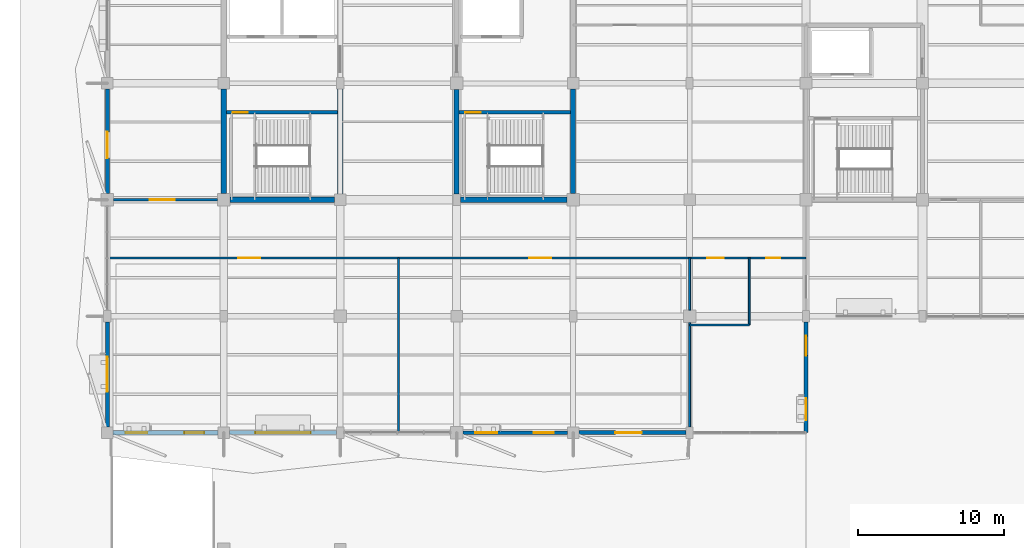
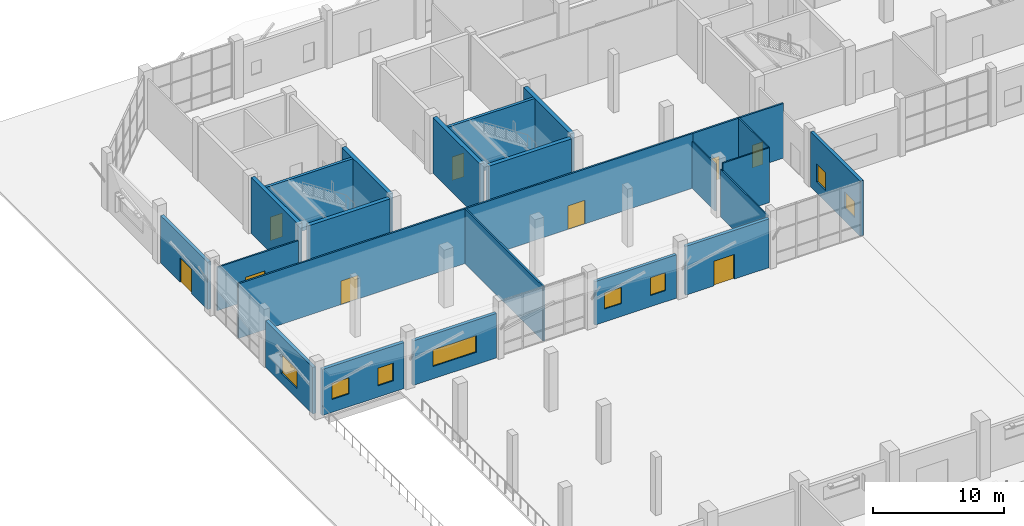
# One storey, part 99 of 123: 25 walls, 9 doors, 8 windows, 17 openings.
"""IFC4 building model written with IfcOpenShell, lengths in metres."""

from ifc_helpers import new_model, si_unit, direction, frame, frame_2d, origin, place, context, subcontext, project, spatial, rectangle, extrude, material, layer, layer_set, type_object, element, fill, save


model = new_model("IFC4")

# Units and contexts
model_context = context("Model", 3, precision=1e-05, world=origin(), true_north=direction((0.0, 1.0)))
body_context = subcontext(model_context, "Body", "Model", "MODEL_VIEW")
ifc_project = project(units=[si_unit("LENGTHUNIT", "METRE"), si_unit("AREAUNIT", "SQUARE_METRE"), si_unit("VOLUMEUNIT", "CUBIC_METRE"), si_unit("PLANEANGLEUNIT", "RADIAN"), si_unit("MASSUNIT", "GRAM", prefix="KILO")], contexts=[model_context])

# Site, building, storey
site_placement = place(None, origin())
site = spatial("IfcSite", under=ifc_project, at=site_placement, CompositionType="ELEMENT")
building_placement = place(site_placement, origin())
building = spatial("IfcBuilding", under=site, at=building_placement, Name="Tenunan Teduh Sports Hall", CompositionType="ELEMENT")
storey_placement = place(building_placement, origin())
storey = spatial("IfcBuildingStorey", under=building, at=storey_placement, Name="L00", CompositionType="ELEMENT", Elevation=0.0)

# Wall, opening, door
ifc_material_1 = material(Name="Concrete C40/50", Category="concrete")
ifc_layer_1 = layer(ifc_material_1, 0.25)
ifc_layer_set_1 = layer_set([ifc_layer_1], Name="Concrete C40/50")
wall_type_1 = type_object("IfcWallType", Name="WL-COR-250", PredefinedType="SOLIDWALL", material=ifc_layer_set_1)
wall_1_placement = place(storey_placement, frame((14.175048828125, 100.0, 0.0), z_axis=(0.0, 0.0, 1.0), x_axis=(1.0, 0.0, 0.0)))
wall_1 = element("IfcWall", 1, at=wall_1_placement, inside=storey, type_object=wall_type_1, Name="WL-COR-L00-016", PredefinedType="SOLIDWALL", context=body_context, shape_type="SweptSolid", body=[
    extrude(rectangle(XDim=7.64990234375, YDim=0.25, at=frame_2d((3.824951171875, 0.0))), origin(), (0.0, 0.0, 1.0), 5.179931640625),
])
opening_1_placement = place(wall_1_placement, frame((0.425048828125, 0.0, 0.0)))
opening_1 = element("IfcOpeningElement", 2, at=opening_1_placement, cuts=wall_1, Name="Opening FD-02", PredefinedType="OPENING", context=body_context, shape_type="SweptSolid", body=[
    extrude(rectangle(XDim=1.050048828125, YDim=2.199951171875, at=frame_2d((0.52490234375, 1.10009765625))), frame((0.0, 0.135009765625, 0.0), z_axis=(0.0, -1.0, 0.0), x_axis=(1.0, 0.0, 0.0)), (0.0, 0.0, 1.0), 0.27001953125),
])
ifc_material_2 = material(Name="Fire-rated steel leaf and frame", Category="steel")
door_type_1 = type_object("IfcDoorType", Name="FDR-02", OperationType="SINGLE_SWING_RIGHT", PredefinedType="DOOR", material=ifc_material_2)
door_1_placement = place(opening_1_placement, frame((1.050048828125, 0.0, 0.0), z_axis=(0.0, 0.0, 1.0), x_axis=(-1.0, 0.0, 0.0)))
door_1 = element("IfcDoor", 3, at=door_1_placement, inside=storey, type_object=door_type_1, Name="DR-INT-L00-006", OperationType="SINGLE_SWING_RIGHT", OverallHeight=2.199951171875, OverallWidth=1.050048828125, PredefinedType="DOOR", context=body_context, shape_type="SweptSolid", body=[
    extrude(rectangle(XDim=1.050048828125, YDim=2.199951171875, at=frame_2d((0.52490234375, 1.10009765625))), frame((0.0, 0.02490234375, 0.0), z_axis=(0.0, -1.0, 0.0), x_axis=(1.0, 0.0, 0.0)), (0.0, 0.0, 1.0), 0.050048828125),
])
fill(opening_1, door_1)

wall_2_placement = place(storey_placement, frame((30.175048828125, 100.0, 0.0), z_axis=(0.0, 0.0, 1.0), x_axis=(1.0, 0.0, 0.0)))
wall_2 = element("IfcWall", 4, at=wall_2_placement, inside=storey, type_object=wall_type_1, Name="WL-COR-L00-070", PredefinedType="SOLIDWALL", context=body_context, shape_type="SweptSolid", body=[
    extrude(rectangle(XDim=7.64990234375, YDim=0.25, at=frame_2d((3.824951171875, 0.0))), origin(), (0.0, 0.0, 1.0), 5.179931640625),
])
opening_2_placement = place(wall_2_placement, frame((0.425048828125, 0.0, 0.0)))
opening_2 = element("IfcOpeningElement", 5, at=opening_2_placement, cuts=wall_2, Name="Opening FD-02", PredefinedType="OPENING", context=body_context, shape_type="SweptSolid", body=[
    extrude(rectangle(XDim=1.050048828125, YDim=2.199951171875, at=frame_2d((0.52490234375, 1.10009765625))), frame((0.0, 0.135009765625, 0.0), z_axis=(0.0, -1.0, 0.0), x_axis=(1.0, 0.0, 0.0)), (0.0, 0.0, 1.0), 0.27001953125),
])
door_2_placement = place(opening_2_placement, frame((1.050048828125, 0.0, 0.0), z_axis=(0.0, 0.0, 1.0), x_axis=(-1.0, 0.0, 0.0)))
door_2 = element("IfcDoor", 6, at=door_2_placement, inside=storey, type_object=door_type_1, Name="DR-INT-L00-029", OperationType="SINGLE_SWING_LEFT", OverallHeight=2.199951171875, OverallWidth=1.050048828125, PredefinedType="DOOR", context=body_context, shape_type="SweptSolid", body=[
    extrude(rectangle(XDim=1.050048828125, YDim=2.199951171875, at=frame_2d((0.52490234375, 1.10009765625))), frame((0.0, 0.02490234375, 0.0), z_axis=(0.0, -1.0, 0.0), x_axis=(1.0, 0.0, 0.0)), (0.0, 0.0, 1.0), 0.050048828125),
])
fill(opening_2, door_2)

# Wall, openings, windows
ifc_material_3 = material(Name="Precast concrete C40/50", Category="concrete")
ifc_layer_2 = layer(ifc_material_3, 0.25)
ifc_layer_set_2 = layer_set([ifc_layer_2], Name="Precast concrete C40/50")
wall_type_2 = type_object("IfcWallType", Name="WL-EXT-250", PredefinedType="SOLIDWALL", material=ifc_layer_set_2)
wall_3_placement = place(storey_placement, frame((30.425048828125, 78.0, 0.0), z_axis=(0.0, 0.0, 1.0), x_axis=(1.0, 0.0, 0.0)))
wall_3 = element("IfcWall", 7, at=wall_3_placement, inside=storey, type_object=wall_type_2, Name="WL-EXT-L00-148", PredefinedType="SOLIDWALL", context=body_context, shape_type="SweptSolid", body=[
    extrude(rectangle(XDim=7.175048828125, YDim=0.25, at=frame_2d((3.58740234375, 0.0))), origin(), (0.0, 0.0, 1.0), 4.0400390625),
])
opening_3_placement = place(wall_3_placement, frame((0.85009765625, 0.0, 1.199951171875)))
opening_3 = element("IfcOpeningElement", 8, at=opening_3_placement, cuts=wall_3, Name="Opening W-09", PredefinedType="OPENING", context=body_context, shape_type="SweptSolid", body=[
    extrude(rectangle(XDim=1.5, YDim=1.5, at=frame_2d((0.75, 0.75))), frame((0.0, 0.135009765625, 0.0), z_axis=(0.0, -1.0, 0.0), x_axis=(1.0, 0.0, 0.0)), (0.0, 0.0, 1.0), 0.27001953125),
])
opening_4_placement = place(wall_3_placement, frame((4.8798828125, 0.0, 1.050048828125)))
opening_4 = element("IfcOpeningElement", 9, at=opening_4_placement, cuts=wall_3, Name="Opening W-18", PredefinedType="OPENING", context=body_context, shape_type="SweptSolid", body=[
    extrude(rectangle(XDim=1.35009765625, YDim=1.64990234375, at=frame_2d((0.675048828125, 0.824951171875))), frame((0.0, 0.135009765625, 0.0), z_axis=(0.0, -1.0, 0.0), x_axis=(1.0, 0.0, 0.0)), (0.0, 0.0, 1.0), 0.27001953125),
])
ifc_material_4 = material(Name="Thermally broken aluminium and Low-E glazing", Category="aluminium")
window_type_1 = type_object("IfcWindowType", Name="WIN-09", PartitioningType="DOUBLE_PANEL_VERTICAL", PredefinedType="WINDOW", material=ifc_material_4)
window_1_placement = place(opening_3_placement, origin())
window_1 = element("IfcWindow", 10, at=window_1_placement, inside=storey, type_object=window_type_1, Name="WIN-L00-028", OverallHeight=1.5, OverallWidth=1.5, PartitioningType="SINGLE_PANEL", PredefinedType="WINDOW", context=body_context, shape_type="SweptSolid", body=[
    extrude(rectangle(XDim=1.5, YDim=1.5, at=frame_2d((0.75, 0.75))), frame((0.0, 0.030029296875, 0.0), z_axis=(0.0, -1.0, 0.0), x_axis=(1.0, 0.0, 0.0)), (0.0, 0.0, 1.0), 0.06005859375),
])
fill(opening_3, window_1)
ifc_material_5 = material(Name="Thermally broken aluminium and Low-E glazing", Category="aluminium")
window_type_2 = type_object("IfcWindowType", Name="WIN-18", PartitioningType="DOUBLE_PANEL_VERTICAL", PredefinedType="WINDOW", material=ifc_material_5)
window_2_placement = place(opening_4_placement, origin())
window_2 = element("IfcWindow", 11, at=window_2_placement, inside=storey, type_object=window_type_2, Name="WIN-L00-029", OverallHeight=1.64990234375, OverallWidth=1.35009765625, PartitioningType="SINGLE_PANEL", PredefinedType="WINDOW", context=body_context, shape_type="SweptSolid", body=[
    extrude(rectangle(XDim=1.35009765625, YDim=1.64990234375, at=frame_2d((0.675048828125, 0.824951171875))), frame((0.0, 0.030029296875, 0.0), z_axis=(0.0, -1.0, 0.0), x_axis=(1.0, 0.0, 0.0)), (0.0, 0.0, 1.0), 0.06005859375),
])
fill(opening_4, window_2)

# Wall, opening, window
ifc_material_6 = material(Name="Concrete C40/50", Category="concrete")
ifc_layer_3 = layer(ifc_material_6, 0.280029296875)
ifc_layer_set_3 = layer_set([ifc_layer_3], Name="Concrete C40/50")
wall_type_3 = type_object("IfcWallType", Name="WL-EXT-280", PredefinedType="SOLIDWALL", material=ifc_layer_set_3)
wall_4_placement = place(storey_placement, frame((14.39990234375, 78.0, 0.0), z_axis=(0.0, 0.0, 1.0), x_axis=(1.0, 0.0, 0.0)))
wall_4 = element("IfcWall", 12, at=wall_4_placement, inside=storey, type_object=wall_type_3, Name="WL-EXT-L00-147", PredefinedType="SOLIDWALL", context=body_context, shape_type="SweptSolid", body=[
    extrude(rectangle(XDim=7.35009765625, YDim=0.280029296875, at=frame_2d((3.675048828125, 0.0))), origin(), (0.0, 0.0, 1.0), 4.139892578125),
])
opening_5_placement = place(wall_4_placement, frame((1.77001953125, 0.0, 1.14990234375)))
opening_5 = element("IfcOpeningElement", 13, at=opening_5_placement, cuts=wall_4, Name="Opening W-24", PredefinedType="OPENING", context=body_context, shape_type="SweptSolid", body=[
    extrude(rectangle(XDim=3.800048828125, YDim=1.550048828125, at=frame_2d((1.89990234375, 0.77490234375))), frame((0.0, 0.14990234375, 0.0), z_axis=(0.0, -1.0, 0.0), x_axis=(1.0, 0.0, 0.0)), (0.0, 0.0, 1.0), 0.300048828125),
])
ifc_material_7 = material(Name="Thermally broken aluminium and Low-E glazing", Category="aluminium")
window_type_3 = type_object("IfcWindowType", Name="WIN-24", PartitioningType="TRIPLE_PANEL_HORIZONTAL", PredefinedType="WINDOW", material=ifc_material_7)
window_3_placement = place(opening_5_placement, origin())
window_3 = element("IfcWindow", 14, at=window_3_placement, inside=storey, type_object=window_type_3, Name="WIN-L00-027", OverallHeight=1.550048828125, OverallWidth=3.800048828125, PartitioningType="SINGLE_PANEL", PredefinedType="WINDOW", context=body_context, shape_type="SweptSolid", body=[
    extrude(rectangle(XDim=3.800048828125, YDim=1.550048828125, at=frame_2d((1.89990234375, 0.77490234375))), frame((0.0, 0.030029296875, 0.0), z_axis=(0.0, -1.0, 0.0), x_axis=(1.0, 0.0, 0.0)), (0.0, 0.0, 1.0), 0.06005859375),
])
fill(opening_5, window_3)

# Wall, opening, door
wall_5_placement = place(storey_placement, frame((38.39990234375, 78.0, 0.0), z_axis=(0.0, 0.0, 1.0), x_axis=(1.0, 0.0, 0.0)))
wall_5 = element("IfcWall", 15, at=wall_5_placement, inside=storey, type_object=wall_type_3, Name="WL-EXT-L00-149", PredefinedType="SOLIDWALL", context=body_context, shape_type="SweptSolid", body=[
    extrude(rectangle(XDim=7.35009765625, YDim=0.280029296875, at=frame_2d((3.675048828125, 0.0))), origin(), (0.0, 0.0, 1.0), 4.5400390625),
])
opening_6_placement = place(wall_5_placement, frame((2.5, 0.0, 0.0)))
opening_6 = element("IfcOpeningElement", 16, at=opening_6_placement, cuts=wall_5, Name="Opening ED-02", PredefinedType="OPENING", context=body_context, shape_type="SweptSolid", body=[
    extrude(rectangle(XDim=1.800048828125, YDim=2.300048828125, at=frame_2d((0.89990234375, 1.14990234375))), frame((0.0, 0.14990234375, 0.0), z_axis=(0.0, -1.0, 0.0), x_axis=(1.0, 0.0, 0.0)), (0.0, 0.0, 1.0), 0.300048828125),
])
ifc_material_8 = material(Name="Powder-coated aluminium and laminated safety glass", Category="aluminium")
door_type_2 = type_object("IfcDoorType", Name="EDR-02", OperationType="DOUBLE_DOOR_SINGLE_SWING", PredefinedType="DOOR", material=ifc_material_8)
door_3_placement = place(opening_6_placement, origin())
door_3 = element("IfcDoor", 17, at=door_3_placement, inside=storey, type_object=door_type_2, Name="DR-EXT-L00-035", OperationType="DOUBLE_DOOR_SINGLE_SWING", OverallHeight=2.300048828125, OverallWidth=1.800048828125, PredefinedType="DOOR", context=body_context, shape_type="SweptSolid", body=[
    extrude(rectangle(XDim=1.800048828125, YDim=2.300048828125, at=frame_2d((0.89990234375, 1.14990234375))), frame((0.0, 0.02490234375, 0.0), z_axis=(0.0, -1.0, 0.0), x_axis=(1.0, 0.0, 0.0)), (0.0, 0.0, 1.0), 0.050048828125),
])
fill(opening_6, door_3)

# Wall, opening, window
wall_6_placement = place(storey_placement, frame((6.0, 78.39990234375, 0.0), z_axis=(0.0, 0.0, 1.0), x_axis=(0.0, 1.0, 0.0)))
wall_6 = element("IfcWall", 18, at=wall_6_placement, inside=storey, type_object=wall_type_3, Name="WL-EXT-L00-159", PredefinedType="SOLIDWALL", context=body_context, shape_type="SweptSolid", body=[
    extrude(rectangle(XDim=7.2001953125, YDim=0.280029296875, at=frame_2d((3.60009765625, 0.0))), origin(), (0.0, 0.0, 1.0), 4.340087890625),
])
opening_7_placement = place(wall_6_placement, frame((2.39990234375, 0.0, 0.89990234375)))
opening_7 = element("IfcOpeningElement", 19, at=opening_7_placement, cuts=wall_6, Name="Opening W-03", PredefinedType="OPENING", context=body_context, shape_type="SweptSolid", body=[
    extrude(rectangle(XDim=2.39990234375, YDim=1.800048828125, at=frame_2d((1.199951171875, 0.89990234375))), frame((0.0, 0.14990234375, 0.0), z_axis=(0.0, -1.0, 0.0), x_axis=(1.0, 0.0, 0.0)), (0.0, 0.0, 1.0), 0.300048828125),
])
ifc_material_9 = material(Name="Thermally broken aluminium and Low-E glazing", Category="aluminium")
window_type_4 = type_object("IfcWindowType", Name="WIN-03", PartitioningType="DOUBLE_PANEL_VERTICAL", PredefinedType="WINDOW", material=ifc_material_9)
window_4_placement = place(opening_7_placement, origin())
window_4 = element("IfcWindow", 20, at=window_4_placement, inside=storey, type_object=window_type_4, Name="WIN-L00-041", OverallHeight=1.800048828125, OverallWidth=2.39990234375, PartitioningType="SINGLE_PANEL", PredefinedType="WINDOW", context=body_context, shape_type="SweptSolid", body=[
    extrude(rectangle(XDim=2.39990234375, YDim=1.800048828125, at=frame_2d((1.199951171875, 0.89990234375))), frame((0.0, 0.030029296875, 0.0), z_axis=(0.0, -1.0, 0.0), x_axis=(1.0, 0.0, 0.0)), (0.0, 0.0, 1.0), 0.06005859375),
])
fill(opening_7, window_4)

# Wall, opening, door
wall_7_placement = place(storey_placement, frame((6.0, 94.425048828125, 0.0), z_axis=(0.0, 0.0, 1.0), x_axis=(0.0, 1.0, 0.0)))
wall_7 = element("IfcWall", 21, at=wall_7_placement, inside=storey, type_object=wall_type_3, Name="WL-EXT-L00-160", PredefinedType="SOLIDWALL", context=body_context, shape_type="SweptSolid", body=[
    extrude(rectangle(XDim=7.175048828125, YDim=0.280029296875, at=frame_2d((3.58740234375, 0.0))), origin(), (0.0, 0.0, 1.0), 4.419921875),
])
opening_8_placement = place(wall_7_placement, frame((2.43994140625, 0.0, 0.0)))
opening_8 = element("IfcOpeningElement", 22, at=opening_8_placement, cuts=wall_7, Name="Opening ED-02", PredefinedType="OPENING", context=body_context, shape_type="SweptSolid", body=[
    extrude(rectangle(XDim=1.800048828125, YDim=2.300048828125, at=frame_2d((0.89990234375, 1.14990234375))), frame((0.0, 0.14990234375, 0.0), z_axis=(0.0, -1.0, 0.0), x_axis=(1.0, 0.0, 0.0)), (0.0, 0.0, 1.0), 0.300048828125),
])
door_4_placement = place(opening_8_placement, origin())
door_4 = element("IfcDoor", 23, at=door_4_placement, inside=storey, type_object=door_type_2, Name="DR-EXT-L00-038", OperationType="DOUBLE_DOOR_SINGLE_SWING", OverallHeight=2.300048828125, OverallWidth=1.800048828125, PredefinedType="DOOR", context=body_context, shape_type="SweptSolid", body=[
    extrude(rectangle(XDim=1.800048828125, YDim=2.300048828125, at=frame_2d((0.89990234375, 1.14990234375))), frame((0.0, 0.02490234375, 0.0), z_axis=(0.0, -1.0, 0.0), x_axis=(1.0, 0.0, 0.0)), (0.0, 0.0, 1.0), 0.050048828125),
])
fill(opening_8, door_4)

# Wall, openings, windows
ifc_material_10 = material(Name="Concrete C40/50", Category="concrete")
ifc_layer_4 = layer(ifc_material_10, 0.2900390625)
ifc_layer_set_4 = layer_set([ifc_layer_4], Name="Concrete C40/50")
wall_type_4 = type_object("IfcWallType", Name="WL-EXT-290", PredefinedType="SOLIDWALL", material=ifc_layer_set_4)
wall_8_placement = place(storey_placement, frame((6.39990234375, 78.0, 0.0), z_axis=(0.0, 0.0, 1.0), x_axis=(1.0, 0.0, 0.0)))
wall_8 = element("IfcWall", 24, at=wall_8_placement, inside=storey, type_object=wall_type_4, Name="WL-EXT-L00-146", PredefinedType="SOLIDWALL", context=body_context, shape_type="SweptSolid", body=[
    extrude(rectangle(XDim=7.2001953125, YDim=0.2900390625, at=frame_2d((3.60009765625, 0.0))), origin(), (0.0, 0.0, 1.0), 4.2900390625),
])
opening_9_placement = place(wall_8_placement, frame((0.85009765625, 0.0, 1.199951171875)))
opening_9 = element("IfcOpeningElement", 25, at=opening_9_placement, cuts=wall_8, Name="Opening W-09", PredefinedType="OPENING", context=body_context, shape_type="SweptSolid", body=[
    extrude(rectangle(XDim=1.5, YDim=1.5, at=frame_2d((0.75, 0.75))), frame((0.0, 0.155029296875, 0.0), z_axis=(0.0, -1.0, 0.0), x_axis=(1.0, 0.0, 0.0)), (0.0, 0.0, 1.0), 0.31005859375),
])
opening_10_placement = place(wall_8_placement, frame((4.89990234375, 0.0, 1.050048828125)))
opening_10 = element("IfcOpeningElement", 26, at=opening_10_placement, cuts=wall_8, Name="Opening W-18", PredefinedType="OPENING", context=body_context, shape_type="SweptSolid", body=[
    extrude(rectangle(XDim=1.35009765625, YDim=1.64990234375, at=frame_2d((0.675048828125, 0.824951171875))), frame((0.0, 0.155029296875, 0.0), z_axis=(0.0, -1.0, 0.0), x_axis=(1.0, 0.0, 0.0)), (0.0, 0.0, 1.0), 0.31005859375),
])
window_5_placement = place(opening_9_placement, origin())
window_5 = element("IfcWindow", 27, at=window_5_placement, inside=storey, type_object=window_type_1, Name="WIN-L00-025", OverallHeight=1.5, OverallWidth=1.5, PartitioningType="SINGLE_PANEL", PredefinedType="WINDOW", context=body_context, shape_type="SweptSolid", body=[
    extrude(rectangle(XDim=1.5, YDim=1.5, at=frame_2d((0.75, 0.75))), frame((0.0, 0.030029296875, 0.0), z_axis=(0.0, -1.0, 0.0), x_axis=(1.0, 0.0, 0.0)), (0.0, 0.0, 1.0), 0.06005859375),
])
fill(opening_9, window_5)
window_6_placement = place(opening_10_placement, origin())
window_6 = element("IfcWindow", 28, at=window_6_placement, inside=storey, type_object=window_type_2, Name="WIN-L00-026", OverallHeight=1.64990234375, OverallWidth=1.35009765625, PartitioningType="SINGLE_PANEL", PredefinedType="WINDOW", context=body_context, shape_type="SweptSolid", body=[
    extrude(rectangle(XDim=1.35009765625, YDim=1.64990234375, at=frame_2d((0.675048828125, 0.824951171875))), frame((0.0, 0.030029296875, 0.0), z_axis=(0.0, -1.0, 0.0), x_axis=(1.0, 0.0, 0.0)), (0.0, 0.0, 1.0), 0.06005859375),
])
fill(opening_10, window_6)

wall_9_placement = place(storey_placement, frame((54.0, 78.0, 0.0), z_axis=(0.0, 0.0, 1.0), x_axis=(0.0, 1.0, 0.0)))
wall_9 = element("IfcWall", 29, at=wall_9_placement, inside=storey, type_object=wall_type_4, Name="WL-EXT-L00-150", PredefinedType="SOLIDWALL", context=body_context, shape_type="SweptSolid", body=[
    extrude(rectangle(XDim=7.60009765625, YDim=0.2900390625, at=frame_2d((3.800048828125, 0.0))), origin(), (0.0, 0.0, 1.0), 5.1201171875),
])
opening_11_placement = place(wall_9_placement, frame((0.85009765625, 0.0, 1.199951171875)))
opening_11 = element("IfcOpeningElement", 30, at=opening_11_placement, cuts=wall_9, Name="Opening W-09", PredefinedType="OPENING", context=body_context, shape_type="SweptSolid", body=[
    extrude(rectangle(XDim=1.5, YDim=1.5, at=frame_2d((0.75, 0.75))), frame((0.0, 0.155029296875, 0.0), z_axis=(0.0, -1.0, 0.0), x_axis=(1.0, 0.0, 0.0)), (0.0, 0.0, 1.0), 0.31005859375),
])
opening_12_placement = place(wall_9_placement, frame((5.300048828125, 0.0, 1.050048828125)))
opening_12 = element("IfcOpeningElement", 31, at=opening_12_placement, cuts=wall_9, Name="Opening W-18", PredefinedType="OPENING", context=body_context, shape_type="SweptSolid", body=[
    extrude(rectangle(XDim=1.35009765625, YDim=1.64990234375, at=frame_2d((0.675048828125, 0.824951171875))), frame((0.0, 0.155029296875, 0.0), z_axis=(0.0, -1.0, 0.0), x_axis=(1.0, 0.0, 0.0)), (0.0, 0.0, 1.0), 0.31005859375),
])
window_7_placement = place(opening_11_placement, origin())
window_7 = element("IfcWindow", 32, at=window_7_placement, inside=storey, type_object=window_type_1, Name="WIN-L00-030", OverallHeight=1.5, OverallWidth=1.5, PartitioningType="SINGLE_PANEL", PredefinedType="WINDOW", context=body_context, shape_type="SweptSolid", body=[
    extrude(rectangle(XDim=1.5, YDim=1.5, at=frame_2d((0.75, 0.75))), frame((0.0, 0.030029296875, 0.0), z_axis=(0.0, -1.0, 0.0), x_axis=(1.0, 0.0, 0.0)), (0.0, 0.0, 1.0), 0.06005859375),
])
fill(opening_11, window_7)
window_8_placement = place(opening_12_placement, origin())
window_8 = element("IfcWindow", 33, at=window_8_placement, inside=storey, type_object=window_type_2, Name="WIN-L00-031", OverallHeight=1.64990234375, OverallWidth=1.35009765625, PartitioningType="SINGLE_PANEL", PredefinedType="WINDOW", context=body_context, shape_type="SweptSolid", body=[
    extrude(rectangle(XDim=1.35009765625, YDim=1.64990234375, at=frame_2d((0.675048828125, 0.824951171875))), frame((0.0, 0.030029296875, 0.0), z_axis=(0.0, -1.0, 0.0), x_axis=(1.0, 0.0, 0.0)), (0.0, 0.0, 1.0), 0.06005859375),
])
fill(opening_12, window_8)

# Walls
ifc_material_11 = material(Name="Moisture-resistant masonry", Category="masonry")
ifc_layer_5 = layer(ifc_material_11, 0.125)
ifc_layer_set_5 = layer_set([ifc_layer_5], Name="Moisture-resistant masonry")
wall_type_5 = type_object("IfcWallType", Name="WL-PRT-125", PredefinedType="PARTITIONING", material=ifc_layer_set_5)
wall_10_placement = place(storey_placement, frame((46.0, 78.39990234375, 0.0), z_axis=(0.0, 0.0, 1.0), x_axis=(0.0, 1.0, 0.0)))
element("IfcWall", 34, at=wall_10_placement, inside=storey, type_object=wall_type_5, Name="WL-PRT-L00-307", PredefinedType="PARTITIONING", context=body_context, shape_type="SweptSolid", body=[
    extrude(rectangle(XDim=7.175048828125, YDim=0.125, at=frame_2d((3.58740234375, 0.0))), origin(), (0.0, 0.0, 1.0), 4.419921875),
])
wall_11_placement = place(storey_placement, frame((46.0, 86.425048828125, 0.0), z_axis=(0.0, 0.0, 1.0), x_axis=(0.0, 1.0, 0.0)))
element("IfcWall", 35, at=wall_11_placement, inside=storey, type_object=wall_type_5, Name="WL-PRT-L00-308", PredefinedType="PARTITIONING", context=body_context, shape_type="SweptSolid", body=[
    extrude(rectangle(XDim=3.574951171875, YDim=0.125, at=frame_2d((1.78759765625, 0.0))), origin(), (0.0, 0.0, 1.0), 4.360107421875),
])
wall_12_placement = place(storey_placement, frame((46.0, 85.39990234375, 0.0), z_axis=(0.0, 0.0, 1.0), x_axis=(1.0, 0.0, 0.0)))
element("IfcWall", 36, at=wall_12_placement, inside=storey, type_object=wall_type_5, Name="WL-PRT-L00-309", PredefinedType="PARTITIONING", context=body_context, shape_type="SweptSolid", body=[
    extrude(rectangle(XDim=4.10009765625, YDim=0.125, at=frame_2d((2.050048828125, 0.0))), origin(), (0.0, 0.0, 1.0), 5.10009765625),
])
wall_13_placement = place(storey_placement, frame((50.10009765625, 85.39990234375, 0.0), z_axis=(0.0, 0.0, 1.0), x_axis=(0.0, 1.0, 0.0)))
element("IfcWall", 37, at=wall_13_placement, inside=storey, type_object=wall_type_5, Name="WL-PRT-L00-310", PredefinedType="PARTITIONING", context=body_context, shape_type="SweptSolid", body=[
    extrude(rectangle(XDim=4.60009765625, YDim=0.125, at=frame_2d((2.300048828125, 0.0))), origin(), (0.0, 0.0, 1.0), 5.10009765625),
])

# Wall, opening, door
ifc_material_12 = material(Name="Acoustic stud and fireboard")
ifc_layer_6 = layer(ifc_material_12, 0.139892578125)
ifc_layer_set_6 = layer_set([ifc_layer_6], Name="Acoustic stud and fireboard")
wall_type_6 = type_object("IfcWallType", Name="WL-PRT-140", PredefinedType="PARTITIONING", material=ifc_layer_set_6)
wall_14_placement = place(storey_placement, frame((6.425048828125, 94.0, 0.0), z_axis=(0.0, 0.0, 1.0), x_axis=(1.0, 0.0, 0.0)))
wall_14 = element("IfcWall", 38, at=wall_14_placement, inside=storey, type_object=wall_type_6, Name="WL-PRT-L00-311", PredefinedType="PARTITIONING", context=body_context, shape_type="SweptSolid", body=[
    extrude(rectangle(XDim=7.14990234375, YDim=0.139892578125, at=frame_2d((3.574951171875, 0.0))), origin(), (0.0, 0.0, 1.0), 4.0400390625),
])
opening_13_placement = place(wall_14_placement, frame((2.5, 0.0, 0.0)))
opening_13 = element("IfcOpeningElement", 39, at=opening_13_placement, cuts=wall_14, Name="Opening ID-05", PredefinedType="OPENING", context=body_context, shape_type="SweptSolid", body=[
    extrude(rectangle(XDim=1.699951171875, YDim=2.25, at=frame_2d((0.85009765625, 1.125))), frame((0.0, 0.079833984375, 0.0), z_axis=(0.0, -1.0, 0.0), x_axis=(1.0, 0.0, 0.0)), (0.0, 0.0, 1.0), 0.159912109375),
])
ifc_material_13 = material(Name="Glazed concourse pair")
door_type_3 = type_object("IfcDoorType", Name="IDR-05", OperationType="DOUBLE_DOOR_SINGLE_SWING", PredefinedType="DOOR", material=ifc_material_13)
door_5_placement = place(opening_13_placement, frame((1.699951171875, 0.0, 0.0), z_axis=(0.0, 0.0, 1.0), x_axis=(-1.0, 0.0, 0.0)))
door_5 = element("IfcDoor", 40, at=door_5_placement, inside=storey, type_object=door_type_3, Name="DR-INT-L00-119", OperationType="DOUBLE_DOOR_SINGLE_SWING", OverallHeight=2.25, OverallWidth=1.699951171875, PredefinedType="DOOR", context=body_context, shape_type="SweptSolid", body=[
    extrude(rectangle(XDim=1.699951171875, YDim=2.25, at=frame_2d((0.85009765625, 1.125))), frame((0.0, 0.02490234375, 0.0), z_axis=(0.0, -1.0, 0.0), x_axis=(1.0, 0.0, 0.0)), (0.0, 0.0, 1.0), 0.050048828125),
])
fill(opening_13, door_5)

ifc_material_14 = material(Name="Acoustic stud and double plasterboard")
ifc_layer_7 = layer(ifc_material_14, 0.14990234375)
ifc_layer_set_7 = layer_set([ifc_layer_7], Name="Acoustic stud and double plasterboard")
wall_type_7 = type_object("IfcWallType", Name="WL-PRT-150", PredefinedType="PARTITIONING", material=ifc_layer_set_7)
wall_15_placement = place(storey_placement, frame((6.0, 90.0, 0.0), z_axis=(0.0, 0.0, 1.0), x_axis=(1.0, 0.0, 0.0)))
wall_15 = element("IfcWall", 41, at=wall_15_placement, inside=storey, type_object=wall_type_7, Name="WL-PRT-L00-302", PredefinedType="PARTITIONING", context=body_context, shape_type="SweptSolid", body=[
    extrude(rectangle(XDim=20.0, YDim=0.14990234375, at=frame_2d((10.0, 0.0))), origin(), (0.0, 0.0, 1.0), 5.10009765625),
])
opening_14_placement = place(wall_15_placement, frame((9.0, 0.0, 0.0)))
opening_14 = element("IfcOpeningElement", 42, at=opening_14_placement, cuts=wall_15, Name="Opening ID-04", PredefinedType="OPENING", context=body_context, shape_type="SweptSolid", body=[
    extrude(rectangle(XDim=1.5, YDim=2.199951171875, at=frame_2d((0.75, 1.10009765625))), frame((0.0, 0.0849609375, 0.0), z_axis=(0.0, -1.0, 0.0), x_axis=(1.0, 0.0, 0.0)), (0.0, 0.0, 1.0), 0.169921875),
])
ifc_material_15 = material(Name="Acoustic studio timber pair", Category="wood")
door_type_4 = type_object("IfcDoorType", Name="IDR-04", OperationType="DOUBLE_DOOR_SINGLE_SWING", PredefinedType="DOOR", material=ifc_material_15)
door_6_placement = place(opening_14_placement, frame((1.5, 0.0, 0.0), z_axis=(0.0, 0.0, 1.0), x_axis=(-1.0, 0.0, 0.0)))
door_6 = element("IfcDoor", 43, at=door_6_placement, inside=storey, type_object=door_type_4, Name="DR-INT-L00-115", OperationType="DOUBLE_DOOR_SINGLE_SWING", OverallHeight=2.199951171875, OverallWidth=1.5, PredefinedType="DOOR", context=body_context, shape_type="SweptSolid", body=[
    extrude(rectangle(XDim=1.5, YDim=2.199951171875, at=frame_2d((0.75, 1.10009765625))), frame((0.0, 0.02490234375, 0.0), z_axis=(0.0, -1.0, 0.0), x_axis=(1.0, 0.0, 0.0)), (0.0, 0.0, 1.0), 0.050048828125),
])
fill(opening_14, door_6)

wall_16_placement = place(storey_placement, frame((26.0, 90.0, 0.0), z_axis=(0.0, 0.0, 1.0), x_axis=(1.0, 0.0, 0.0)))
wall_16 = element("IfcWall", 44, at=wall_16_placement, inside=storey, type_object=wall_type_7, Name="WL-PRT-L00-303", PredefinedType="PARTITIONING", context=body_context, shape_type="SweptSolid", body=[
    extrude(rectangle(XDim=20.0, YDim=0.14990234375, at=frame_2d((10.0, 0.0))), origin(), (0.0, 0.0, 1.0), 5.10009765625),
])
opening_15_placement = place(wall_16_placement, frame((9.0, 0.0, 0.0)))
opening_15 = element("IfcOpeningElement", 45, at=opening_15_placement, cuts=wall_16, Name="Opening ID-04", PredefinedType="OPENING", context=body_context, shape_type="SweptSolid", body=[
    extrude(rectangle(XDim=1.5, YDim=2.199951171875, at=frame_2d((0.75, 1.10009765625))), frame((0.0, 0.0849609375, 0.0), z_axis=(0.0, -1.0, 0.0), x_axis=(1.0, 0.0, 0.0)), (0.0, 0.0, 1.0), 0.169921875),
])
door_7_placement = place(opening_15_placement, frame((1.5, 0.0, 0.0), z_axis=(0.0, 0.0, 1.0), x_axis=(-1.0, 0.0, 0.0)))
door_7 = element("IfcDoor", 46, at=door_7_placement, inside=storey, type_object=door_type_4, Name="DR-INT-L00-116", OperationType="DOUBLE_DOOR_SINGLE_SWING", OverallHeight=2.199951171875, OverallWidth=1.5, PredefinedType="DOOR", context=body_context, shape_type="SweptSolid", body=[
    extrude(rectangle(XDim=1.5, YDim=2.199951171875, at=frame_2d((0.75, 1.10009765625))), frame((0.0, 0.02490234375, 0.0), z_axis=(0.0, -1.0, 0.0), x_axis=(1.0, 0.0, 0.0)), (0.0, 0.0, 1.0), 0.050048828125),
])
fill(opening_15, door_7)

wall_17_placement = place(storey_placement, frame((46.0, 90.0, 0.0), z_axis=(0.0, 0.0, 1.0), x_axis=(1.0, 0.0, 0.0)))
wall_17 = element("IfcWall", 47, at=wall_17_placement, inside=storey, type_object=wall_type_7, Name="WL-PRT-L00-304", PredefinedType="PARTITIONING", context=body_context, shape_type="SweptSolid", body=[
    extrude(rectangle(XDim=4.10009765625, YDim=0.14990234375, at=frame_2d((2.050048828125, 0.0))), origin(), (0.0, 0.0, 1.0), 5.10009765625),
])
opening_16_placement = place(wall_17_placement, frame((1.22998046875, 0.0, 0.0)))
opening_16 = element("IfcOpeningElement", 48, at=opening_16_placement, cuts=wall_17, Name="Opening ID-06", PredefinedType="OPENING", context=body_context, shape_type="SweptSolid", body=[
    extrude(rectangle(XDim=1.10009765625, YDim=2.14990234375, at=frame_2d((0.550048828125, 1.074951171875))), frame((0.0, 0.0849609375, 0.0), z_axis=(0.0, -1.0, 0.0), x_axis=(1.0, 0.0, 0.0)), (0.0, 0.0, 1.0), 0.169921875),
])
ifc_material_16 = material(Name="Accessible pocket sliding leaf")
door_type_5 = type_object("IfcDoorType", Name="IDR-06", OperationType="SLIDING_TO_RIGHT", PredefinedType="DOOR", material=ifc_material_16)
door_8_placement = place(opening_16_placement, frame((1.10009765625, 0.0, 0.0), z_axis=(0.0, 0.0, 1.0), x_axis=(-1.0, 0.0, 0.0)))
door_8 = element("IfcDoor", 49, at=door_8_placement, inside=storey, type_object=door_type_5, Name="DR-INT-L00-117", OperationType="SLIDING_TO_RIGHT", OverallHeight=2.14990234375, OverallWidth=1.10009765625, PredefinedType="DOOR", context=body_context, shape_type="SweptSolid", body=[
    extrude(rectangle(XDim=1.10009765625, YDim=2.14990234375, at=frame_2d((0.550048828125, 1.074951171875))), frame((0.0, 0.02490234375, 0.0), z_axis=(0.0, -1.0, 0.0), x_axis=(1.0, 0.0, 0.0)), (0.0, 0.0, 1.0), 0.050048828125),
])
fill(opening_16, door_8)

wall_18_placement = place(storey_placement, frame((50.10009765625, 90.0, 0.0), z_axis=(0.0, 0.0, 1.0), x_axis=(1.0, 0.0, 0.0)))
wall_18 = element("IfcWall", 50, at=wall_18_placement, inside=storey, type_object=wall_type_7, Name="WL-PRT-L00-305", PredefinedType="PARTITIONING", context=body_context, shape_type="SweptSolid", body=[
    extrude(rectangle(XDim=3.89990234375, YDim=0.14990234375, at=frame_2d((1.949951171875, 0.0))), origin(), (0.0, 0.0, 1.0), 5.10009765625),
])
opening_17_placement = place(wall_18_placement, frame((1.169921875, 0.0, 0.0)))
opening_17 = element("IfcOpeningElement", 51, at=opening_17_placement, cuts=wall_18, Name="Opening ID-01", PredefinedType="OPENING", context=body_context, shape_type="SweptSolid", body=[
    extrude(rectangle(XDim=0.949951171875, YDim=2.10009765625, at=frame_2d((0.47509765625, 1.050048828125))), frame((0.0, 0.0849609375, 0.0), z_axis=(0.0, -1.0, 0.0), x_axis=(1.0, 0.0, 0.0)), (0.0, 0.0, 1.0), 0.169921875),
])
ifc_material_17 = material(Name="Solid-core laminate timber", Category="wood")
door_type_6 = type_object("IfcDoorType", Name="IDR-01", OperationType="SINGLE_SWING_LEFT", PredefinedType="DOOR", material=ifc_material_17)
door_9_placement = place(opening_17_placement, frame((0.949951171875, 0.0, 0.0), z_axis=(0.0, 0.0, 1.0), x_axis=(-1.0, 0.0, 0.0)))
door_9 = element("IfcDoor", 52, at=door_9_placement, inside=storey, type_object=door_type_6, Name="DR-INT-L00-118", OperationType="SINGLE_SWING_LEFT", OverallHeight=2.10009765625, OverallWidth=0.949951171875, PredefinedType="DOOR", context=body_context, shape_type="SweptSolid", body=[
    extrude(rectangle(XDim=0.949951171875, YDim=2.10009765625, at=frame_2d((0.47509765625, 1.050048828125))), frame((0.0, 0.02490234375, 0.0), z_axis=(0.0, -1.0, 0.0), x_axis=(1.0, 0.0, 0.0)), (0.0, 0.0, 1.0), 0.050048828125),
])
fill(opening_17, door_9)

# Walls
wall_19_placement = place(storey_placement, frame((26.0, 78.0, 0.0), z_axis=(0.0, 0.0, 1.0), x_axis=(0.0, 1.0, 0.0)))
element("IfcWall", 53, at=wall_19_placement, inside=storey, type_object=wall_type_7, Name="WL-PRT-L00-306", PredefinedType="PARTITIONING", context=body_context, shape_type="SweptSolid", body=[
    extrude(rectangle(XDim=12.0, YDim=0.14990234375, at=frame_2d((6.0, 0.0))), origin(), (0.0, 0.0, 1.0), 5.10009765625),
])
ifc_material_18 = material(Name="Concrete C40/50", Category="concrete")
ifc_layer_8 = layer(ifc_material_18, 0.35009765625)
ifc_layer_set_8 = layer_set([ifc_layer_8], Name="Concrete C40/50")
wall_type_8 = type_object("IfcWallType", Name="WL-SHR-350", PredefinedType="SHEAR", material=ifc_layer_set_8)
for number, where, z_axis, x_axis, name in (
    (54, (14.425048828125, 94.0, 0.0), (0.0, 0.0, 1.0), (1.0, 0.0, 0.0), "WL-COR-L00-010"),
    (55, (14.0, 94.425048828125, 0.0), (0.0, 0.0, 1.0), (0.0, 1.0, 0.0), "WL-COR-L00-012"),
):
    element("IfcWall", number, at=place(storey_placement, frame(where, z_axis=z_axis, x_axis=x_axis)), inside=storey, type_object=wall_type_8, Name=name, PredefinedType="SHEAR", context=body_context, shape_type="SweptSolid", body=[
        extrude(rectangle(XDim=7.175048828125, YDim=0.35009765625, at=frame_2d((3.58740234375, 0.0))), origin(), (0.0, 0.0, 1.0), 5.179931640625),
    ])
wall_20_placement = place(storey_placement, frame((22.0, 94.39990234375, 0.0), z_axis=(0.0, 0.0, 1.0), x_axis=(0.0, 1.0, 0.0)))
element("IfcWall", 56, at=wall_20_placement, inside=storey, type_object=wall_type_8, Name="WL-COR-L00-014", PredefinedType="SHEAR", context=body_context, shape_type="SweptSolid", body=[
    extrude(rectangle(XDim=7.2001953125, YDim=0.35009765625, at=frame_2d((3.60009765625, 0.0))), origin(), (0.0, 0.0, 1.0), 5.179931640625),
])
wall_21_placement = place(storey_placement, frame((30.25, 94.0, 0.0), z_axis=(0.0, 0.0, 1.0), x_axis=(1.0, 0.0, 0.0)))
element("IfcWall", 57, at=wall_21_placement, inside=storey, type_object=wall_type_8, Name="WL-COR-L00-064", PredefinedType="SHEAR", context=body_context, shape_type="SweptSolid", body=[
    extrude(rectangle(XDim=7.324951171875, YDim=0.35009765625, at=frame_2d((3.66259765625, 0.0))), origin(), (0.0, 0.0, 1.0), 5.179931640625),
])
for number, where, z_axis, x_axis, name in (
    (58, (30.0, 94.39990234375, 0.0), (0.0, 0.0, 1.0), (0.0, 1.0, 0.0), "WL-COR-L00-066"),
    (59, (38.0, 94.425048828125, 0.0), (0.0, 0.0, 1.0), (0.0, 1.0, 0.0), "WL-COR-L00-068"),
):
    element("IfcWall", number, at=place(storey_placement, frame(where, z_axis=z_axis, x_axis=x_axis)), inside=storey, type_object=wall_type_8, Name=name, PredefinedType="SHEAR", context=body_context, shape_type="SweptSolid", body=[
        extrude(rectangle(XDim=7.175048828125, YDim=0.35009765625, at=frame_2d((3.58740234375, 0.0))), origin(), (0.0, 0.0, 1.0), 5.179931640625),
    ])

save(model, "model.ifc")
